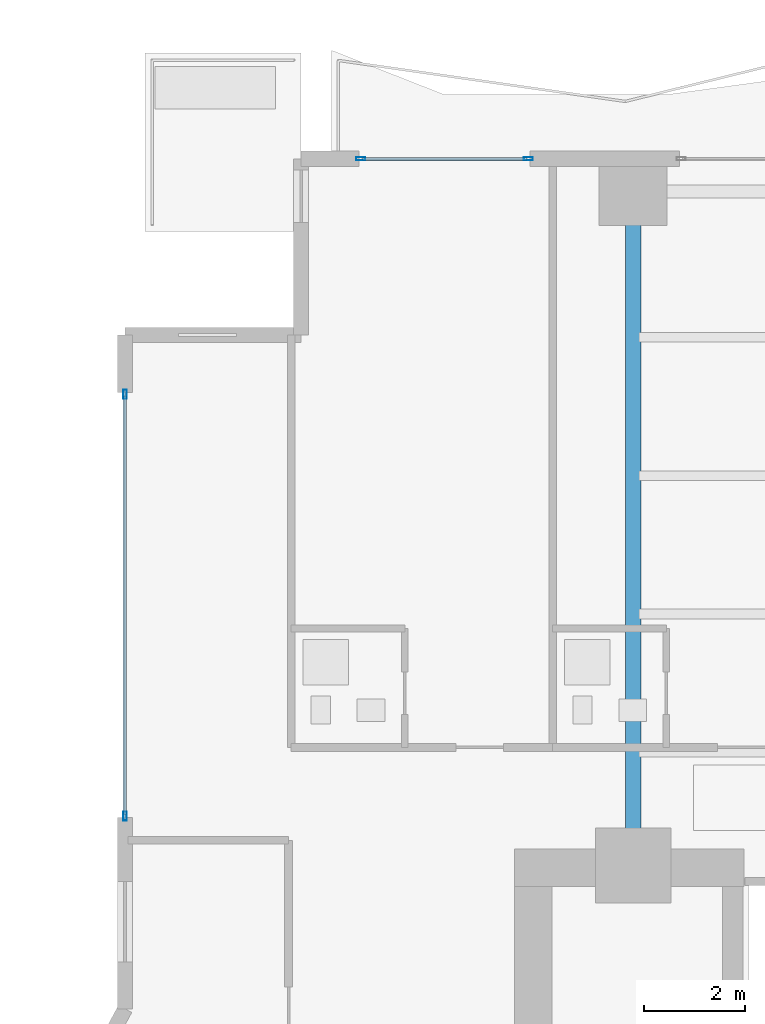
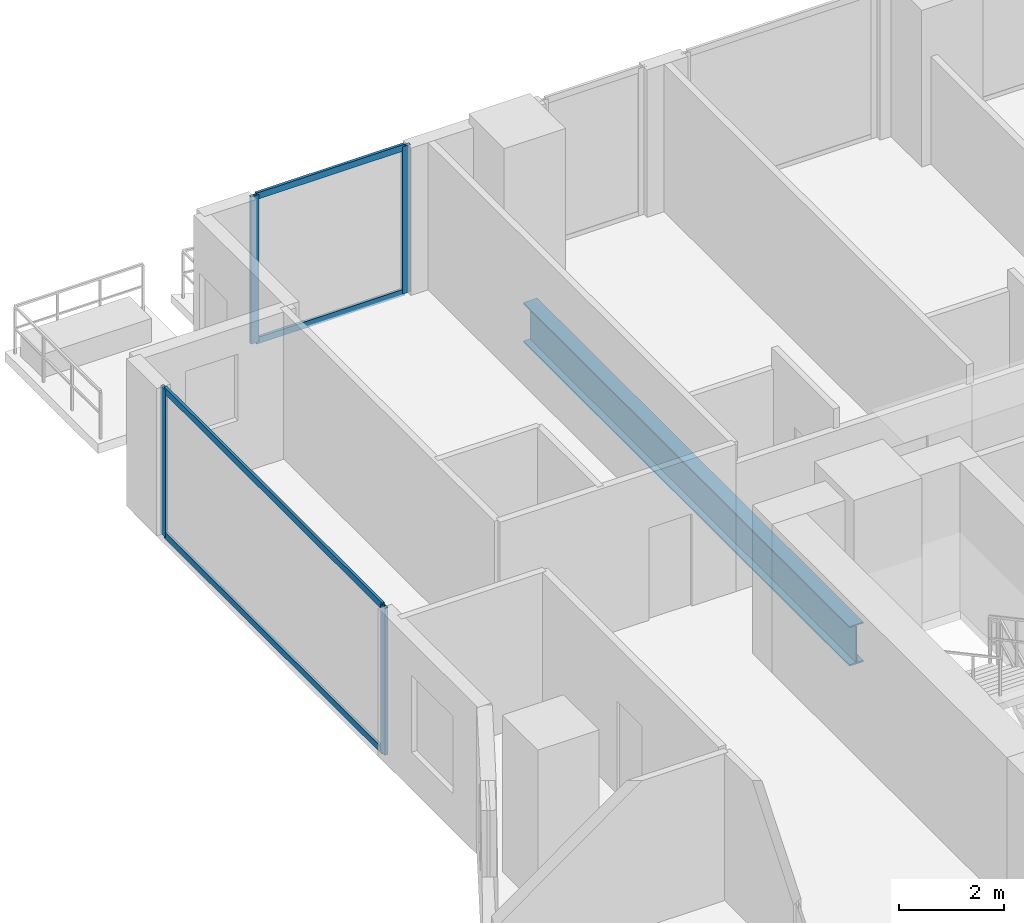
# One storey, part 14 of 29: 8 members, 1 beam, 2 elements without a shape of their own.
"""IFC4 building model written with IfcOpenShell, lengths in metres."""

from ifc_helpers import new_model, si_unit, direction, frame, origin, origin_2d, place, context, subcontext, project, spatial, hollow_rectangle, i_section, extrude, material, layer, layer_set, material_profile, profile_set, type_object, element, aggregate, save


model = new_model("IFC4")

# Units and contexts
model_context = context("Model", 3, precision=1e-05, world=origin(), true_north=direction((0.0, 1.0)))
body_context = subcontext(model_context, "Body", "Model", "MODEL_VIEW")
ifc_project = project(units=[si_unit("LENGTHUNIT", "METRE"), si_unit("AREAUNIT", "SQUARE_METRE"), si_unit("VOLUMEUNIT", "CUBIC_METRE"), si_unit("PLANEANGLEUNIT", "RADIAN"), si_unit("MASSUNIT", "GRAM", prefix="KILO")], contexts=[model_context])

# Site, building, storey
site_placement = place(None, origin())
site = spatial("IfcSite", under=ifc_project, at=site_placement, CompositionType="ELEMENT")
building_placement = place(site_placement, origin())
building = spatial("IfcBuilding", under=site, at=building_placement, Name="Zuhayl Quay Hotel", CompositionType="ELEMENT")
storey_placement = place(building_placement, frame((0.0, 0.0, 150.39990234375)))
storey = spatial("IfcBuildingStorey", under=building, at=storey_placement, Name="L38", CompositionType="ELEMENT", Elevation=150.39990234375)

# Beam
ifc_material_1 = material(Name="Steel ASTM A992 Grade 50", Category="steel")
ifc_material_profile_1 = material_profile(ifc_material_1, i_section(OverallWidth=0.306884765625, OverallDepth=0.927001953125, WebThickness=0.019287109375, FlangeThickness=0.031982421875, at=origin_2d()), Name="W36X194")
ifc_profile_set_1 = profile_set([ifc_material_profile_1], Name="Steel ASTM A992 Grade 50")
beam_type = type_object("IfcBeamType", Name="BM_PG2_W36X194", PredefinedType="BEAM", material=ifc_profile_set_1)
beam_placement = place(storey_placement, frame((-13.800048828125, 14.800048828125, -0.683349609375), z_axis=(0.0, 1.0, 0.0), x_axis=(-1.0, 0.0, 0.0)))
element("IfcBeam", 1, at=beam_placement, inside=storey, type_object=beam_type, Name="L38 Floor Beam FG_N_L38_1", PredefinedType="BEAM", context=body_context, shape_type="SweptSolid", body=[
    extrude(i_section(OverallWidth=0.306884765625, OverallDepth=0.927001953125, WebThickness=0.019287109375, FlangeThickness=0.031982421875, at=origin_2d()), origin(), (0.0, 0.0, 1.0), 12.449951171875),
])

# Curtain wall, members
ifc_material_2 = material(Name="Anodised Aluminium 6063-T6", Category="aluminium")
ifc_layer = layer(ifc_material_2, 0.179931640625, Name="Anodised Aluminium 6063-T6", Category="aluminium")
ifc_layer_set = layer_set([ifc_layer], Name="Anodised Aluminium 6063-T6")
curtain_wall_type = type_object("IfcCurtainWallType", Name="CW_SYS_Z2", PredefinedType="USERDEFINED", material=ifc_layer_set)
curtain_wall_1_placement = place(storey_placement, origin())
curtain_wall_1 = element("IfcCurtainWall", 2, at=curtain_wall_1_placement, inside=storey, type_object=curtain_wall_type, Name="L38 Curtain Wall ENV_L38_E05_CW1", ObjectType="UNITISED CURTAIN WALL", PredefinedType="USERDEFINED")
ifc_material_3 = material(Name="Black-anodised aluminium 6063-T6", Category="aluminium")
ifc_material_profile_2 = material_profile(ifc_material_3, hollow_rectangle(XDim=0.06494140625, YDim=0.179931640625, WallThickness=0.00341796875, at=origin_2d()), Name="ALU180X65")
ifc_profile_set_2 = profile_set([ifc_material_profile_2], Name="Black-anodised aluminium 6063-T6")
member_type_1 = type_object("IfcMemberType", Name="MB_CW_MUL_180", PredefinedType="MULLION", material=ifc_profile_set_2)
member_1_placement = place(storey_placement, frame((-23.89990234375, 15.33251953125, 0.0), z_axis=(0.0, 0.0, 1.0), x_axis=(-1.0, 0.0, 0.0)))
member_1 = element("IfcMember", 3, at=member_1_placement, type_object=member_type_1, Name="CW-Z2 mullion 1", PredefinedType="MULLION", context=body_context, shape_type="SweptSolid", body=[
    extrude(hollow_rectangle(XDim=0.06494140625, YDim=0.179931640625, WallThickness=0.00341796875, at=origin_2d()), origin(), (0.0, 0.0, 1.0), 3.43017578125),
])
member_2_placement = place(storey_placement, frame((-23.89990234375, 23.717529296875, 0.0), z_axis=(0.0, 0.0, 1.0), x_axis=(-1.0, 0.0, 0.0)))
member_2 = element("IfcMember", 4, at=member_2_placement, type_object=member_type_1, Name="CW-Z2 mullion 2", PredefinedType="MULLION", context=body_context, shape_type="SweptSolid", body=[
    extrude(hollow_rectangle(XDim=0.06494140625, YDim=0.179931640625, WallThickness=0.00341796875, at=origin_2d()), origin(), (0.0, 0.0, 1.0), 3.43017578125),
])

curtain_wall_2_placement = place(storey_placement, origin())
curtain_wall_2 = element("IfcCurtainWall", 5, at=curtain_wall_2_placement, inside=storey, type_object=curtain_wall_type, Name="L38 Curtain Wall ENV_L38_N_CW1", ObjectType="UNITISED CURTAIN WALL", PredefinedType="USERDEFINED")
member_3_placement = place(storey_placement, frame((-19.217529296875, 28.39990234375, 0.0), z_axis=(0.0, 0.0, 1.0), x_axis=(0.0, 1.0, 0.0)))
member_3 = element("IfcMember", 6, at=member_3_placement, type_object=member_type_1, Name="CW-Z2 mullion 1", PredefinedType="MULLION", context=body_context, shape_type="SweptSolid", body=[
    extrude(hollow_rectangle(XDim=0.06494140625, YDim=0.179931640625, WallThickness=0.00341796875, at=origin_2d()), origin(), (0.0, 0.0, 1.0), 3.43017578125),
])
member_4_placement = place(storey_placement, frame((-15.882568359375, 28.39990234375, 0.0), z_axis=(0.0, 0.0, 1.0), x_axis=(0.0, 1.0, 0.0)))
member_4 = element("IfcMember", 7, at=member_4_placement, type_object=member_type_1, Name="CW-Z2 mullion 2", PredefinedType="MULLION", context=body_context, shape_type="SweptSolid", body=[
    extrude(hollow_rectangle(XDim=0.06494140625, YDim=0.179931640625, WallThickness=0.00341796875, at=origin_2d()), origin(), (0.0, 0.0, 1.0), 3.43017578125),
])

# Member
ifc_material_profile_3 = material_profile(ifc_material_3, hollow_rectangle(XDim=0.06005859375, YDim=0.14990234375, WallThickness=0.00341796875, at=origin_2d()), Name="ALU150X60")
ifc_profile_set_3 = profile_set([ifc_material_profile_3], Name="Black-anodised aluminium 6063-T6")
member_type_2 = type_object("IfcMemberType", Name="MB_CW_TRN_150", PredefinedType="USERDEFINED", material=ifc_profile_set_3)
member_5_placement = place(storey_placement, frame((-23.89990234375, 15.364990234375, 0.030029296875), z_axis=(0.0, 1.0, 0.0), x_axis=(-1.0, 0.0, 0.0)))
member_5 = element("IfcMember", 8, at=member_5_placement, type_object=member_type_2, Name="CW-Z2 transom 1.1", ObjectType="TRANSOM", PredefinedType="USERDEFINED", context=body_context, shape_type="SweptSolid", body=[
    extrude(hollow_rectangle(XDim=0.06005859375, YDim=0.14990234375, WallThickness=0.00341796875, at=origin_2d()), origin(), (0.0, 0.0, 1.0), 8.320068359375),
])

member_6_placement = place(storey_placement, frame((-23.89990234375, 15.364990234375, 3.400146484375), z_axis=(0.0, 1.0, 0.0), x_axis=(-1.0, 0.0, 0.0)))
member_6 = element("IfcMember", 9, at=member_6_placement, type_object=member_type_2, Name="CW-Z2 transom 1.2", ObjectType="TRANSOM", PredefinedType="USERDEFINED", context=body_context, shape_type="SweptSolid", body=[
    extrude(hollow_rectangle(XDim=0.06005859375, YDim=0.14990234375, WallThickness=0.00341796875, at=origin_2d()), origin(), (0.0, 0.0, 1.0), 8.320068359375),
])

aggregate(curtain_wall_1, [member_1, member_2, member_5, member_6])

member_7_placement = place(storey_placement, frame((-19.18505859375, 28.39990234375, 0.030029296875), z_axis=(1.0, 0.0, 0.0), x_axis=(0.0, 1.0, 0.0)))
member_7 = element("IfcMember", 10, at=member_7_placement, type_object=member_type_2, Name="CW-Z2 transom 1.1", ObjectType="TRANSOM", PredefinedType="USERDEFINED", context=body_context, shape_type="SweptSolid", body=[
    extrude(hollow_rectangle(XDim=0.06005859375, YDim=0.14990234375, WallThickness=0.00341796875, at=origin_2d()), origin(), (0.0, 0.0, 1.0), 3.27001953125),
])

member_8_placement = place(storey_placement, frame((-19.18505859375, 28.39990234375, 3.400146484375), z_axis=(1.0, 0.0, 0.0), x_axis=(0.0, 1.0, 0.0)))
member_8 = element("IfcMember", 11, at=member_8_placement, type_object=member_type_2, Name="CW-Z2 transom 1.2", ObjectType="TRANSOM", PredefinedType="USERDEFINED", context=body_context, shape_type="SweptSolid", body=[
    extrude(hollow_rectangle(XDim=0.06005859375, YDim=0.14990234375, WallThickness=0.00341796875, at=origin_2d()), origin(), (0.0, 0.0, 1.0), 3.27001953125),
])

aggregate(curtain_wall_2, [member_3, member_4, member_7, member_8])

save(model, "model.ifc")
